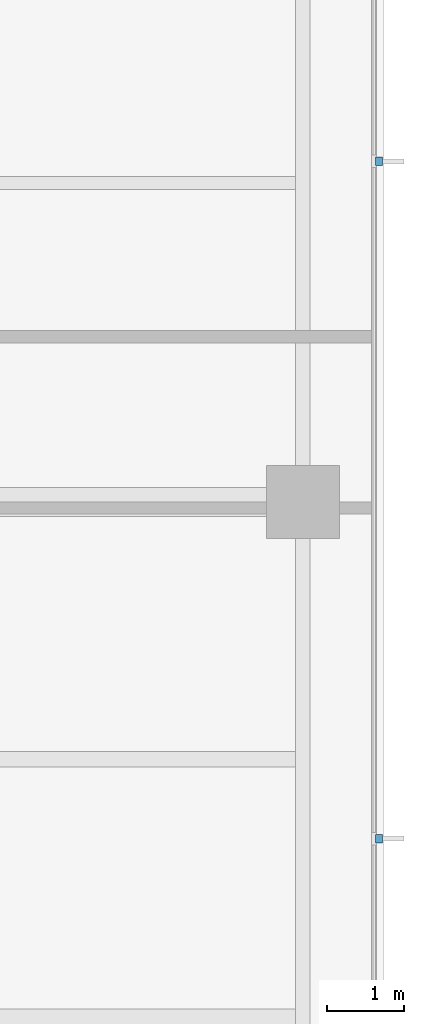
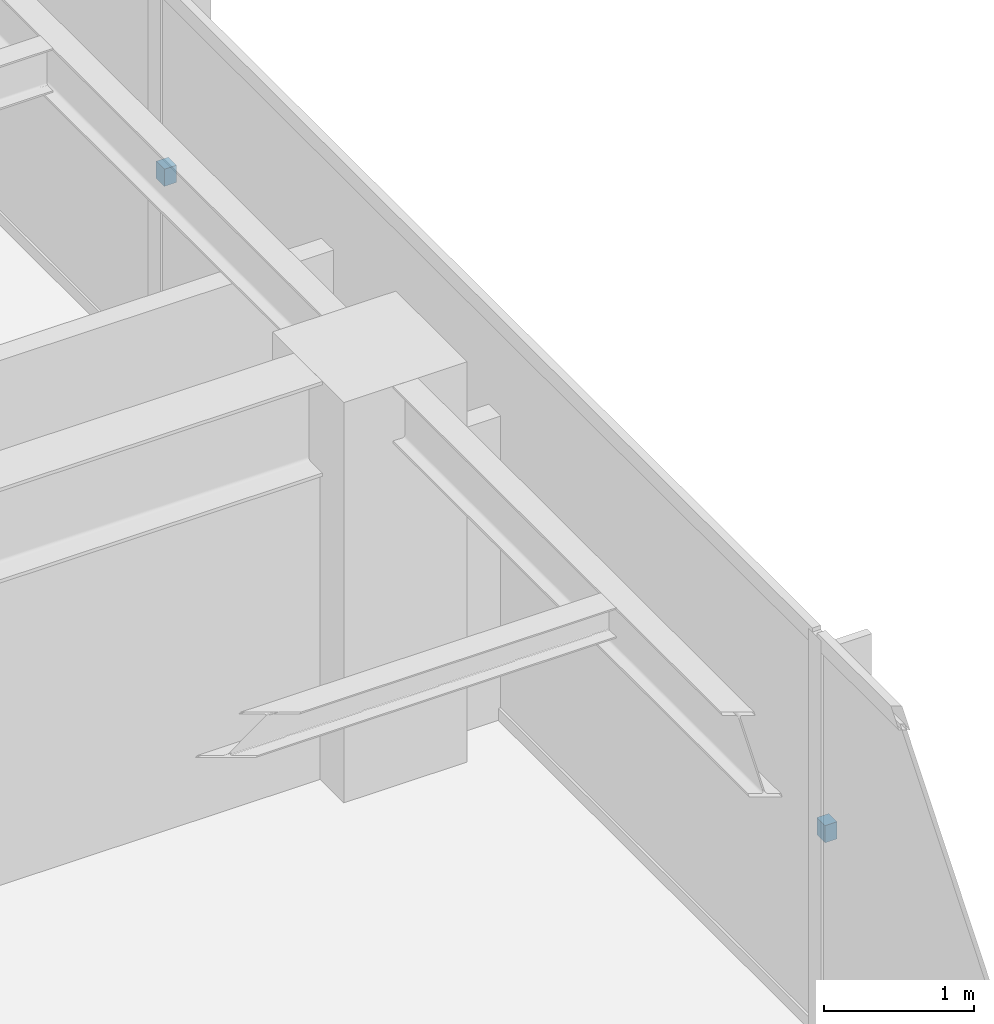
# One storey, part 12 of 15: 2 discrete accessories.
"""IFC4 building model written with IfcOpenShell, lengths in metres."""

from ifc_helpers import new_model, si_unit, direction, frame, origin, place, context, subcontext, project, spatial, polyline, outline, extrude, material, type_object, element, save


model = new_model("IFC4")

# Units and contexts
model_context = context("Model", 3, precision=1e-05, world=origin(), true_north=direction((0.0, 1.0)))
body_context = subcontext(model_context, "Body", "Model", "MODEL_VIEW")
ifc_project = project(units=[si_unit("LENGTHUNIT", "METRE"), si_unit("AREAUNIT", "SQUARE_METRE"), si_unit("VOLUMEUNIT", "CUBIC_METRE"), si_unit("PLANEANGLEUNIT", "RADIAN"), si_unit("MASSUNIT", "GRAM", prefix="KILO")], contexts=[model_context])

# Site, building, storey
site_placement = place(None, origin())
site = spatial("IfcSite", under=ifc_project, at=site_placement, CompositionType="ELEMENT")
building_placement = place(site_placement, origin())
building = spatial("IfcBuilding", under=site, at=building_placement, Name="Qalmaran Belvedere Hotel", CompositionType="ELEMENT")
storey_placement = place(building_placement, frame((0.0, 0.0, 196.89990234375)))
storey = spatial("IfcBuildingStorey", under=building, at=storey_placement, Name="L49", CompositionType="ELEMENT", Elevation=196.89990234375)

# Discrete accessories
ifc_material = material(Name="Stainless Steel 1.4401", Category="steel")
discrete_accessory_type = type_object("IfcDiscreteAccessoryType", Name="BRK-FIN-SS316", PredefinedType="BRACKET", material=ifc_material)
discrete_accessory_1_placement = place(storey_placement, frame((0.0, 0.0, 1.580078125)))
element("IfcDiscreteAccessory", 1, at=discrete_accessory_1_placement, inside=storey, type_object=discrete_accessory_type, Name="L49 Fin Bracket 1", PredefinedType="BRACKET", context=body_context, shape_type="SweptSolid", body=[
    extrude(outline(polyline([(53.4951171875, 16.061767578125), (53.58740234375, 16.061767578125), (53.58740234375, 16.171630859375), (53.4951171875, 16.171630859375), (53.4951171875, 16.061767578125)])), origin(), (0.0, 0.0, 1.0), 0.14013671875),
])
discrete_accessory_2_placement = place(storey_placement, frame((0.0, 0.0, 1.580078125)))
element("IfcDiscreteAccessory", 2, at=discrete_accessory_2_placement, inside=storey, type_object=discrete_accessory_type, Name="L49 Fin Bracket 2", PredefinedType="BRACKET", context=body_context, shape_type="SweptSolid", body=[
    extrude(outline(polyline([(53.4951171875, 24.87841796875), (53.58740234375, 24.87841796875), (53.58740234375, 24.98828125), (53.4951171875, 24.98828125), (53.4951171875, 24.87841796875)])), origin(), (0.0, 0.0, 1.0), 0.14013671875),
])

save(model, "model.ifc")
